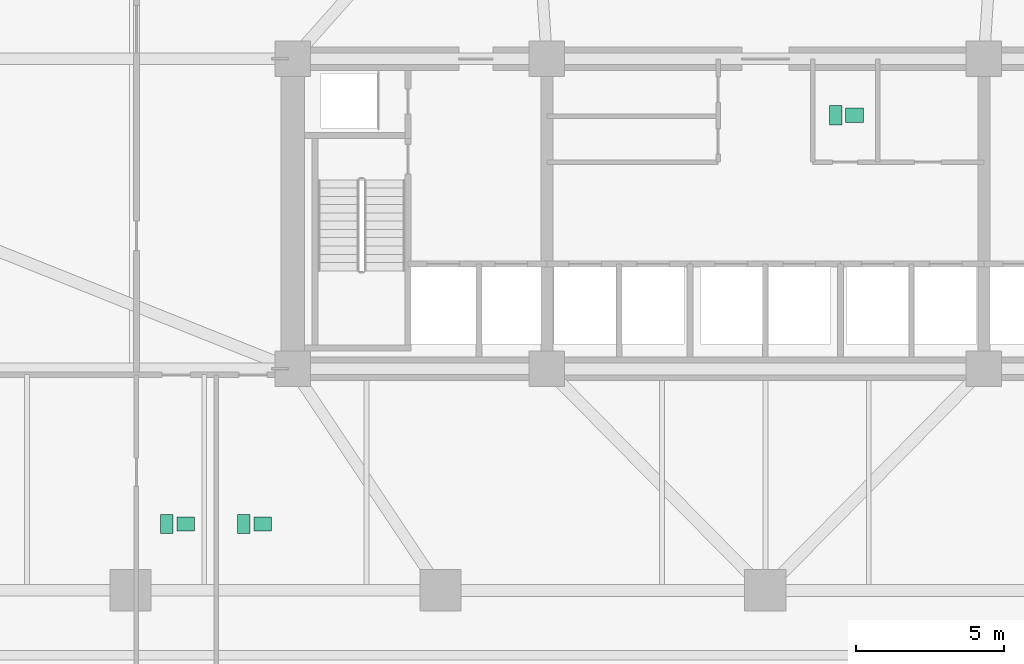
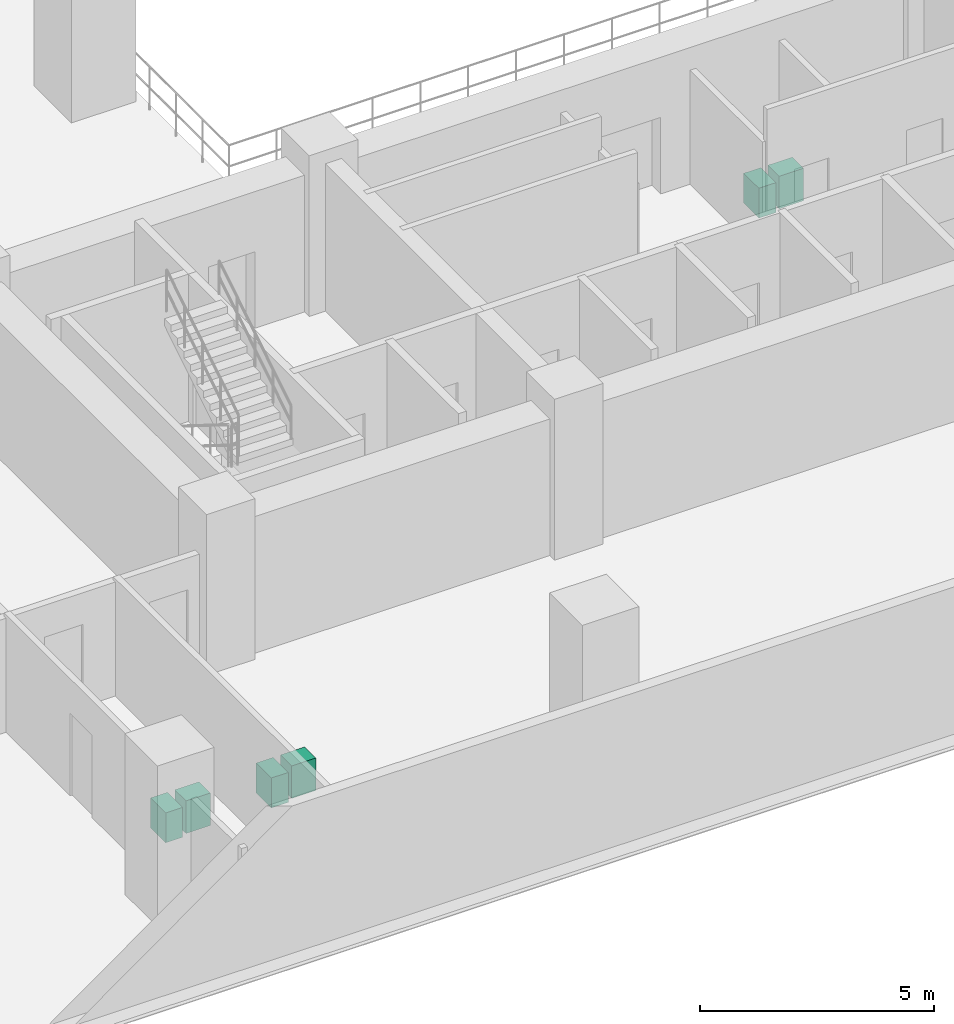
# One storey, part 15 of 15: 6 sanitary terminals.
"""IFC4 building model written with IfcOpenShell, lengths in metres."""

from ifc_helpers import new_model, si_unit, direction, frame, origin, origin_2d, place, context, subcontext, project, spatial, rectangle, extrude, material, type_object, element, save


model = new_model("IFC4")

# Units and contexts
model_context = context("Model", 3, precision=1e-05, world=origin(), true_north=direction((0.0, 1.0)))
body_context = subcontext(model_context, "Body", "Model", "MODEL_VIEW")
ifc_project = project(units=[si_unit("LENGTHUNIT", "METRE"), si_unit("AREAUNIT", "SQUARE_METRE"), si_unit("VOLUMEUNIT", "CUBIC_METRE"), si_unit("PLANEANGLEUNIT", "RADIAN"), si_unit("MASSUNIT", "GRAM", prefix="KILO")], contexts=[model_context])

# Site, building, storey
site_placement = place(None, origin())
site = spatial("IfcSite", under=ifc_project, at=site_placement, CompositionType="ELEMENT")
building_placement = place(site_placement, origin())
building = spatial("IfcBuilding", under=site, at=building_placement, Name="Solmavex Isthmus Hotel", CompositionType="ELEMENT")
storey_placement = place(building_placement, frame((0.0, 0.0, 16.199951171875)))
storey = spatial("IfcBuildingStorey", under=building, at=storey_placement, Name="L04", CompositionType="ELEMENT", Elevation=16.199951171875)

# Sanitary terminals
ifc_material = material(Name="Vitreous china ceramic", Category="ceramic")
sanitary_terminal_type_1 = type_object("IfcSanitaryTerminalType", Name="SAN-BASIN", PredefinedType="WASHHANDBASIN", material=ifc_material)
for number, where, z_axis, x_axis, name in (
    (1, (3.02001953125, -4.409912109375, 0.0), (0.0, 0.0, 1.0), (1.0, 0.0, 0.0), "Vanity Washbasin L04-11"),
    (2, (-19.6298828125, -18.25, 0.0), (0.0, 0.0, 1.0), (1.0, 0.0, 0.0), "Vanity Washbasin L04-12"),
    (3, (-17.02001953125, -18.25, 0.0), (0.0, 0.0, 1.0), (1.0, 0.0, 0.0), "Vanity Washbasin L04-13"),
):
    element("IfcSanitaryTerminal", number, at=place(storey_placement, frame(where, z_axis=z_axis, x_axis=x_axis)), inside=storey, type_object=sanitary_terminal_type_1, Name=name, PredefinedType="WASHHANDBASIN", context=body_context, shape_type="SweptSolid", body=[
        extrude(rectangle(XDim=0.60009765625, YDim=0.47998046875, at=origin_2d()), origin(), (0.0, 0.0, 1.0), 0.85009765625),
    ])
sanitary_terminal_type_2 = type_object("IfcSanitaryTerminalType", Name="SAN-WC-SUITE", PredefinedType="TOILETPAN", material=ifc_material)
for number, where, z_axis, x_axis, name in (
    (4, (2.3798828125, -4.409912109375, 0.0), (0.0, 0.0, 1.0), (1.0, 0.0, 0.0), "Water Closet L04-11"),
    (5, (-20.27001953125, -18.25, 0.0), (0.0, 0.0, 1.0), (1.0, 0.0, 0.0), "Water Closet L04-12"),
    (6, (-17.659912109375, -18.25, 0.0), (0.0, 0.0, 1.0), (1.0, 0.0, 0.0), "Water Closet L04-13"),
):
    element("IfcSanitaryTerminal", number, at=place(storey_placement, frame(where, z_axis=z_axis, x_axis=x_axis)), inside=storey, type_object=sanitary_terminal_type_2, Name=name, PredefinedType="TOILETPAN", context=body_context, shape_type="SweptSolid", body=[
        extrude(rectangle(XDim=0.419921875, YDim=0.64990234375, at=origin_2d()), origin(), (0.0, 0.0, 1.0), 0.780029296875),
    ])

save(model, "model.ifc")
